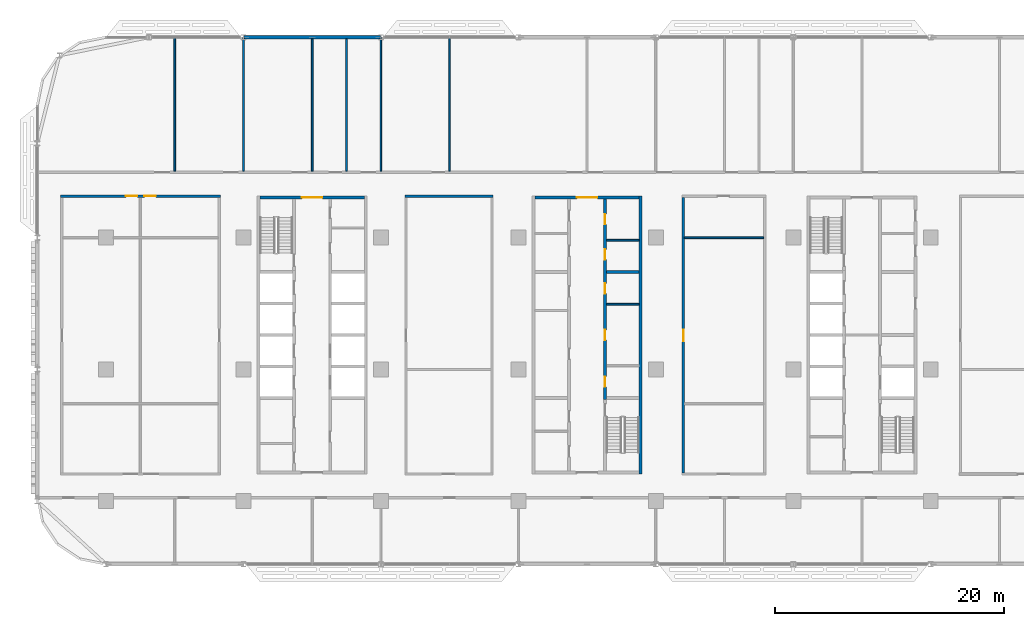
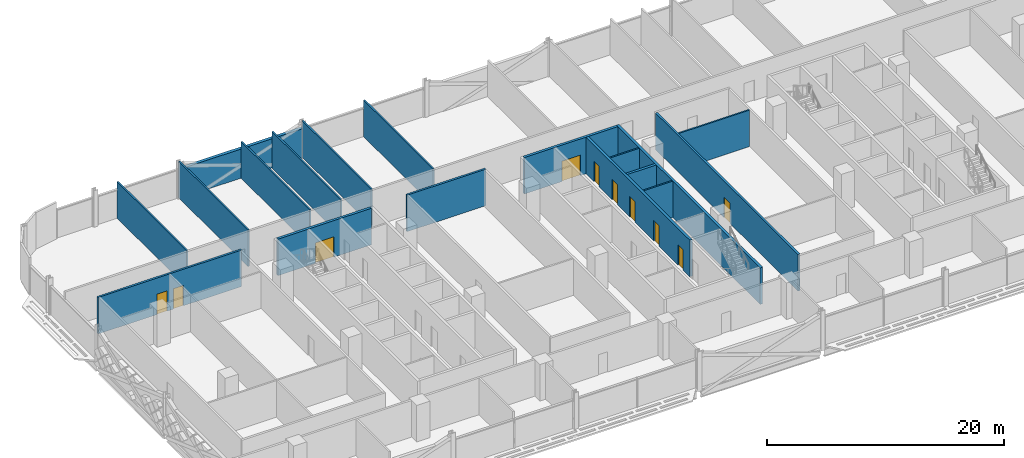
# One storey, part 15 of 28: 18 walls, 10 doors, 10 openings.
"""IFC4 building model written with IfcOpenShell, lengths in metres."""

from ifc_helpers import new_model, si_unit, direction, frame, frame_2d, origin, place, context, subcontext, project, spatial, rectangle, extrude, material, layer, layer_set, type_object, element, fill, save


model = new_model("IFC4")

# Units and contexts
model_context = context("Model", 3, precision=1e-05, world=origin(), true_north=direction((0.0, 1.0)))
body_context = subcontext(model_context, "Body", "Model", "MODEL_VIEW")
ifc_project = project(units=[si_unit("LENGTHUNIT", "METRE"), si_unit("AREAUNIT", "SQUARE_METRE"), si_unit("VOLUMEUNIT", "CUBIC_METRE"), si_unit("PLANEANGLEUNIT", "RADIAN"), si_unit("MASSUNIT", "GRAM", prefix="KILO")], contexts=[model_context])

# Site, building, storey
site_placement = place(None, origin())
site = spatial("IfcSite", under=ifc_project, at=site_placement, CompositionType="ELEMENT")
building_placement = place(site_placement, origin())
building = spatial("IfcBuilding", under=site, at=building_placement, Name="Mahtab Terrace Research Tower", CompositionType="ELEMENT")
storey_placement = place(building_placement, frame((0.0, 0.0, 134.300048828125)))
storey = spatial("IfcBuildingStorey", under=building, at=storey_placement, Name="L31", CompositionType="ELEMENT", Elevation=134.300048828125)

# Walls
ifc_material_1 = material(Name="Gypsum board partition")
ifc_layer_1 = layer(ifc_material_1, 0.14990234375)
ifc_layer_set_1 = layer_set([ifc_layer_1], Name="Core partition 150")
wall_type_1 = type_object("IfcWallType", Name="Core partition 150", PredefinedType="PARTITIONING", material=ifc_layer_set_1)
for number, where, z_axis, x_axis, name in (
    (1, (1.699951171875, 5.6875, 0.0), (0.0, 0.0, 1.0), (1.0, 0.0, 0.0), "Core wall B pEL269"),
    (2, (1.699951171875, 11.27490234375, 0.0), (0.0, 0.0, 1.0), (1.0, 0.0, 0.0), "Core wall B pEN828"),
):
    element("IfcWall", number, at=place(storey_placement, frame(where, z_axis=z_axis, x_axis=x_axis)), inside=storey, type_object=wall_type_1, Name=name, PredefinedType="PARTITIONING", context=body_context, shape_type="SweptSolid", body=[
        extrude(rectangle(XDim=2.85009765625, YDim=0.14990234375, at=frame_2d((1.425048828125, 0.0))), origin(), (0.0, 0.0, 1.0), 3.760009765625),
    ])

# Wall, opening, door
ifc_material_2 = material(Name="Concrete C70/85", Category="concrete")
ifc_layer_2 = layer(ifc_material_2, 0.25)
ifc_layer_set_2 = layer_set([ifc_layer_2], Name="Core wall 250")
wall_type_2 = type_object("IfcWallType", Name="Core wall 250", PredefinedType="SOLIDWALL", material=ifc_layer_set_2)
wall_1_placement = place(storey_placement, frame((-28.550048828125, 15.0, 0.0), z_axis=(0.0, 0.0, 1.0), x_axis=(1.0, 0.0, 0.0)))
wall_1 = element("IfcWall", 3, at=wall_1_placement, inside=storey, type_object=wall_type_2, Name="Core wall A endN", PredefinedType="SOLIDWALL", context=body_context, shape_type="SweptSolid", body=[
    extrude(rectangle(XDim=9.10009765625, YDim=0.25, at=frame_2d((4.550048828125, 0.0))), origin(), (0.0, 0.0, 1.0), 3.760009765625),
])
opening_1_placement = place(wall_1_placement, frame((3.64990234375, 0.0, 0.0)))
opening_1 = element("IfcOpeningElement", 4, at=opening_1_placement, cuts=wall_1, Name="Opening A-N1", PredefinedType="OPENING", context=body_context, shape_type="SweptSolid", body=[
    extrude(rectangle(XDim=1.800048828125, YDim=2.10009765625, at=frame_2d((0.89990234375, 1.050048828125))), frame((0.0, 0.135009765625, 0.0), z_axis=(0.0, -1.0, 0.0), x_axis=(1.0, 0.0, 0.0)), (0.0, 0.0, 1.0), 0.27001953125),
])
ifc_material_3 = material(Name="Steel fire door", Category="steel")
door_type_1 = type_object("IfcDoorType", Name="Lobby double door 1800x2100 1 HR", OperationType="DOUBLE_DOOR_SINGLE_SWING", PredefinedType="DOOR", material=ifc_material_3)
door_1_placement = place(opening_1_placement, origin())
door_1 = element("IfcDoor", 5, at=door_1_placement, inside=storey, type_object=door_type_1, Name="Core entrance door A N", OperationType="DOUBLE_DOOR_SINGLE_SWING", OverallHeight=2.10009765625, OverallWidth=1.800048828125, PredefinedType="DOOR", context=body_context, shape_type="SweptSolid", body=[
    extrude(rectangle(XDim=1.800048828125, YDim=2.10009765625, at=frame_2d((0.89990234375, 1.050048828125))), frame((0.0, 0.02490234375, 0.0), z_axis=(0.0, -1.0, 0.0), x_axis=(1.0, 0.0, 0.0)), (0.0, 0.0, 1.0), 0.050048828125),
])
fill(opening_1, door_1)

# Wall
wall_2_placement = place(storey_placement, frame((4.675048828125, -9.125, 0.0), z_axis=(0.0, 0.0, 1.0), x_axis=(0.0, 1.0, 0.0)))
element("IfcWall", 6, at=wall_2_placement, inside=storey, type_object=wall_type_2, Name="Core wall B outerE", PredefinedType="SOLIDWALL", context=body_context, shape_type="SweptSolid", body=[
    extrude(rectangle(XDim=24.25, YDim=0.25, at=frame_2d((12.125, 0.0))), origin(), (0.0, 0.0, 1.0), 3.760009765625),
])

# Wall, opening, door
wall_3_placement = place(storey_placement, frame((-4.550048828125, 15.0, 0.0), z_axis=(0.0, 0.0, 1.0), x_axis=(1.0, 0.0, 0.0)))
wall_3 = element("IfcWall", 7, at=wall_3_placement, inside=storey, type_object=wall_type_2, Name="Core wall B endN", PredefinedType="SOLIDWALL", context=body_context, shape_type="SweptSolid", body=[
    extrude(rectangle(XDim=9.10009765625, YDim=0.25, at=frame_2d((4.550048828125, 0.0))), origin(), (0.0, 0.0, 1.0), 3.760009765625),
])
opening_2_placement = place(wall_3_placement, frame((3.64990234375, 0.0, 0.0)))
opening_2 = element("IfcOpeningElement", 8, at=opening_2_placement, cuts=wall_3, Name="Opening B-N1", PredefinedType="OPENING", context=body_context, shape_type="SweptSolid", body=[
    extrude(rectangle(XDim=1.800048828125, YDim=2.10009765625, at=frame_2d((0.89990234375, 1.050048828125))), frame((0.0, 0.135009765625, 0.0), z_axis=(0.0, -1.0, 0.0), x_axis=(1.0, 0.0, 0.0)), (0.0, 0.0, 1.0), 0.27001953125),
])
door_2_placement = place(opening_2_placement, origin())
door_2 = element("IfcDoor", 9, at=door_2_placement, inside=storey, type_object=door_type_1, Name="Core entrance door B N", OperationType="DOUBLE_DOOR_SINGLE_SWING", OverallHeight=2.10009765625, OverallWidth=1.800048828125, PredefinedType="DOOR", context=body_context, shape_type="SweptSolid", body=[
    extrude(rectangle(XDim=1.800048828125, YDim=2.10009765625, at=frame_2d((0.89990234375, 1.050048828125))), frame((0.0, 0.02490234375, 0.0), z_axis=(0.0, -1.0, 0.0), x_axis=(1.0, 0.0, 0.0)), (0.0, 0.0, 1.0), 0.050048828125),
])
fill(opening_2, door_2)

# Wall, openings, doors
wall_4_placement = place(storey_placement, frame((1.574951171875, 14.875, 0.0), z_axis=(0.0, 0.0, 1.0), x_axis=(0.0, -1.0, 0.0)))
wall_4 = element("IfcWall", 10, at=wall_4_placement, inside=storey, type_object=wall_type_2, Name="Core wall B innerELN", PredefinedType="SOLIDWALL", context=body_context, shape_type="SweptSolid", body=[
    extrude(rectangle(XDim=17.5, YDim=0.25, at=frame_2d((8.75, 0.0))), origin(), (0.0, 0.0, 1.0), 3.760009765625),
])
opening_3_placement = place(wall_4_placement, frame((15.493896484375, 0.0, 0.0)))
opening_3 = element("IfcOpeningElement", 11, at=opening_3_placement, cuts=wall_4, Name="Opening B-R3", PredefinedType="OPENING", context=body_context, shape_type="SweptSolid", body=[
    extrude(rectangle(XDim=0.89990234375, YDim=2.10009765625, at=frame_2d((0.449951171875, 1.050048828125))), frame((0.0, 0.135009765625, 0.0), z_axis=(0.0, -1.0, 0.0), x_axis=(1.0, 0.0, 0.0)), (0.0, 0.0, 1.0), 0.27001953125),
])
opening_4_placement = place(wall_4_placement, frame((11.425048828125, 0.0, 0.0)))
opening_4 = element("IfcOpeningElement", 12, at=opening_4_placement, cuts=wall_4, Name="Opening B-R4", PredefinedType="OPENING", context=body_context, shape_type="SweptSolid", body=[
    extrude(rectangle(XDim=0.89990234375, YDim=2.10009765625, at=frame_2d((0.449951171875, 1.050048828125))), frame((0.0, 0.135009765625, 0.0), z_axis=(0.0, -1.0, 0.0), x_axis=(1.0, 0.0, 0.0)), (0.0, 0.0, 1.0), 0.27001953125),
])
opening_5_placement = place(wall_4_placement, frame((7.356201171875, 0.0, 0.0)))
opening_5 = element("IfcOpeningElement", 13, at=opening_5_placement, cuts=wall_4, Name="Opening B-R5", PredefinedType="OPENING", context=body_context, shape_type="SweptSolid", body=[
    extrude(rectangle(XDim=0.89990234375, YDim=2.10009765625, at=frame_2d((0.449951171875, 1.050048828125))), frame((0.0, 0.135009765625, 0.0), z_axis=(0.0, -1.0, 0.0), x_axis=(1.0, 0.0, 0.0)), (0.0, 0.0, 1.0), 0.27001953125),
])
opening_6_placement = place(wall_4_placement, frame((4.387451171875, 0.0, 0.0)))
opening_6 = element("IfcOpeningElement", 14, at=opening_6_placement, cuts=wall_4, Name="Opening B-R10", PredefinedType="OPENING", context=body_context, shape_type="SweptSolid", body=[
    extrude(rectangle(XDim=0.89990234375, YDim=2.10009765625, at=frame_2d((0.449951171875, 1.050048828125))), frame((0.0, 0.135009765625, 0.0), z_axis=(0.0, -1.0, 0.0), x_axis=(1.0, 0.0, 0.0)), (0.0, 0.0, 1.0), 0.27001953125),
])
opening_7_placement = place(wall_4_placement, frame((1.3125, 0.0, 0.0)))
opening_7 = element("IfcOpeningElement", 15, at=opening_7_placement, cuts=wall_4, Name="Opening B-R11", PredefinedType="OPENING", context=body_context, shape_type="SweptSolid", body=[
    extrude(rectangle(XDim=0.89990234375, YDim=2.10009765625, at=frame_2d((0.449951171875, 1.050048828125))), frame((0.0, 0.135009765625, 0.0), z_axis=(0.0, -1.0, 0.0), x_axis=(1.0, 0.0, 0.0)), (0.0, 0.0, 1.0), 0.27001953125),
])
door_type_2 = type_object("IfcDoorType", Name="Room door 900x2100 1 HR", OperationType="NOTDEFINED", PredefinedType="DOOR", material=ifc_material_3)
door_3_placement = place(opening_3_placement, origin())
door_3 = element("IfcDoor", 16, at=door_3_placement, inside=storey, type_object=door_type_2, Name="Comms room door", OperationType="SINGLE_SWING_LEFT", OverallHeight=2.10009765625, OverallWidth=0.89990234375, PredefinedType="DOOR", context=body_context, shape_type="SweptSolid", body=[
    extrude(rectangle(XDim=0.89990234375, YDim=2.10009765625, at=frame_2d((0.449951171875, 1.050048828125))), frame((0.0, 0.02490234375, 0.0), z_axis=(0.0, -1.0, 0.0), x_axis=(1.0, 0.0, 0.0)), (0.0, 0.0, 1.0), 0.050048828125),
])
fill(opening_3, door_3)
door_4_placement = place(opening_4_placement, origin())
door_4 = element("IfcDoor", 17, at=door_4_placement, inside=storey, type_object=door_type_2, Name="Meeting alcove door", OperationType="SINGLE_SWING_RIGHT", OverallHeight=2.10009765625, OverallWidth=0.89990234375, PredefinedType="DOOR", context=body_context, shape_type="SweptSolid", body=[
    extrude(rectangle(XDim=0.89990234375, YDim=2.10009765625, at=frame_2d((0.449951171875, 1.050048828125))), frame((0.0, 0.02490234375, 0.0), z_axis=(0.0, -1.0, 0.0), x_axis=(1.0, 0.0, 0.0)), (0.0, 0.0, 1.0), 0.050048828125),
])
fill(opening_4, door_4)
door_5_placement = place(opening_5_placement, origin())
door_5 = element("IfcDoor", 18, at=door_5_placement, inside=storey, type_object=door_type_2, Name="Linen store door", OperationType="SINGLE_SWING_LEFT", OverallHeight=2.10009765625, OverallWidth=0.89990234375, PredefinedType="DOOR", context=body_context, shape_type="SweptSolid", body=[
    extrude(rectangle(XDim=0.89990234375, YDim=2.10009765625, at=frame_2d((0.449951171875, 1.050048828125))), frame((0.0, 0.02490234375, 0.0), z_axis=(0.0, -1.0, 0.0), x_axis=(1.0, 0.0, 0.0)), (0.0, 0.0, 1.0), 0.050048828125),
])
fill(opening_5, door_5)
door_6_placement = place(opening_6_placement, origin())
door_6 = element("IfcDoor", 19, at=door_6_placement, inside=storey, type_object=door_type_2, Name="Accessible WC door", OperationType="SINGLE_SWING_RIGHT", OverallHeight=2.10009765625, OverallWidth=0.89990234375, PredefinedType="DOOR", context=body_context, shape_type="SweptSolid", body=[
    extrude(rectangle(XDim=0.89990234375, YDim=2.10009765625, at=frame_2d((0.449951171875, 1.050048828125))), frame((0.0, 0.02490234375, 0.0), z_axis=(0.0, -1.0, 0.0), x_axis=(1.0, 0.0, 0.0)), (0.0, 0.0, 1.0), 0.050048828125),
])
fill(opening_6, door_6)
door_7_placement = place(opening_7_placement, origin())
door_7 = element("IfcDoor", 20, at=door_7_placement, inside=storey, type_object=door_type_2, Name="WC block door", OperationType="SINGLE_SWING_LEFT", OverallHeight=2.10009765625, OverallWidth=0.89990234375, PredefinedType="DOOR", context=body_context, shape_type="SweptSolid", body=[
    extrude(rectangle(XDim=0.89990234375, YDim=2.10009765625, at=frame_2d((0.449951171875, 1.050048828125))), frame((0.0, 0.02490234375, 0.0), z_axis=(0.0, -1.0, 0.0), x_axis=(1.0, 0.0, 0.0)), (0.0, 0.0, 1.0), 0.050048828125),
])
fill(opening_7, door_7)

# Walls
wall_5_placement = place(storey_placement, frame((1.699951171875, 8.5, 0.0), z_axis=(0.0, 0.0, 1.0), x_axis=(1.0, 0.0, 0.0)))
element("IfcWall", 21, at=wall_5_placement, inside=storey, type_object=wall_type_2, Name="Core wall B divE4", PredefinedType="SOLIDWALL", context=body_context, shape_type="SweptSolid", body=[
    extrude(rectangle(XDim=2.85009765625, YDim=0.25, at=frame_2d((1.425048828125, 0.0))), origin(), (0.0, 0.0, 1.0), 3.760009765625),
])
ifc_material_4 = material(Name="Black aluminium cladding panel", Category="aluminium")
ifc_layer_3 = layer(ifc_material_4, 0.300048828125)
ifc_layer_set_3 = layer_set([ifc_layer_3], Name="Opaque facade wall 300")
wall_type_3 = type_object("IfcWallType", Name="Opaque facade wall 300", PredefinedType="NOTDEFINED", material=ifc_layer_set_3)
wall_6_placement = place(storey_placement, frame((-18.017822265625, 29.0, 0.0), z_axis=(0.0, 0.0, 1.0), x_axis=(-1.0, 0.0, 0.0)))
element("IfcWall", 22, at=wall_6_placement, inside=storey, type_object=wall_type_3, Name="Opaque facade wall L31 N8", PredefinedType="NOTDEFINED", context=body_context, shape_type="SweptSolid", body=[
    extrude(rectangle(XDim=11.96435546875, YDim=0.300048828125, at=frame_2d((5.982177734375, 0.0))), origin(), (0.0, 0.0, 1.0), 3.0029296875),
])

# Wall, openings, doors
ifc_material_5 = material(Name="Gypsum board corridor wall on steel studs", Category="steel")
ifc_layer_4 = layer(ifc_material_5, 0.199951171875)
ifc_layer_set_4 = layer_set([ifc_layer_4], Name="WALL CORRIDOR 200")
wall_type_4 = type_object("IfcWallType", Name="WALL CORRIDOR 200", PredefinedType="PARTITIONING", material=ifc_layer_set_4)
wall_7_placement = place(storey_placement, frame((-45.949951171875, 15.125, 0.0), z_axis=(0.0, 0.0, 1.0), x_axis=(1.0, 0.0, 0.0)))
wall_7 = element("IfcWall", 23, at=wall_7_placement, inside=storey, type_object=wall_type_4, Name="L31-W022", PredefinedType="PARTITIONING", context=body_context, shape_type="SweptSolid", body=[
    extrude(rectangle(XDim=13.949951171875, YDim=0.199951171875, at=frame_2d((6.97509765625, 0.0))), origin(), (0.0, 0.0, 1.0), 3.760009765625),
])
opening_8_placement = place(wall_7_placement, frame((5.699951171875, 0.0, 0.0)))
opening_8 = element("IfcOpeningElement", 24, at=opening_8_placement, cuts=wall_7, Name="Opening L31-123", PredefinedType="OPENING", context=body_context, shape_type="SweptSolid", body=[
    extrude(rectangle(XDim=1.0, YDim=2.10009765625, at=frame_2d((0.5, 1.050048828125))), frame((0.0, 0.10986328125, 0.0), z_axis=(0.0, -1.0, 0.0), x_axis=(1.0, 0.0, 0.0)), (0.0, 0.0, 1.0), 0.219970703125),
])
opening_9_placement = place(wall_7_placement, frame((7.300048828125, 0.0, 0.0)))
opening_9 = element("IfcOpeningElement", 25, at=opening_9_placement, cuts=wall_7, Name="Opening L31-124", PredefinedType="OPENING", context=body_context, shape_type="SweptSolid", body=[
    extrude(rectangle(XDim=1.0, YDim=2.10009765625, at=frame_2d((0.5, 1.050048828125))), frame((0.0, 0.10986328125, 0.0), z_axis=(0.0, -1.0, 0.0), x_axis=(1.0, 0.0, 0.0)), (0.0, 0.0, 1.0), 0.219970703125),
])
ifc_material_6 = material(Name="Timber door leaf in steel frame", Category="steel")
door_type_3 = type_object("IfcDoorType", Name="DOOR 1000X2100 FD30S", OperationType="SINGLE_SWING_LEFT", PredefinedType="DOOR", material=ifc_material_6)
door_8_placement = place(opening_8_placement, origin())
door_8 = element("IfcDoor", 26, at=door_8_placement, inside=storey, type_object=door_type_3, Name="Door L31-123", OperationType="SINGLE_SWING_RIGHT", OverallHeight=2.10009765625, OverallWidth=1.0, PredefinedType="DOOR", context=body_context, shape_type="SweptSolid", body=[
    extrude(rectangle(XDim=1.0, YDim=2.10009765625, at=frame_2d((0.5, 1.050048828125))), frame((0.0, 0.02490234375, 0.0), z_axis=(0.0, -1.0, 0.0), x_axis=(1.0, 0.0, 0.0)), (0.0, 0.0, 1.0), 0.050048828125),
])
fill(opening_8, door_8)
door_9_placement = place(opening_9_placement, origin())
door_9 = element("IfcDoor", 27, at=door_9_placement, inside=storey, type_object=door_type_3, Name="Door L31-124", OperationType="SINGLE_SWING_LEFT", OverallHeight=2.10009765625, OverallWidth=1.0, PredefinedType="DOOR", context=body_context, shape_type="SweptSolid", body=[
    extrude(rectangle(XDim=1.0, YDim=2.10009765625, at=frame_2d((0.5, 1.050048828125))), frame((0.0, 0.02490234375, 0.0), z_axis=(0.0, -1.0, 0.0), x_axis=(1.0, 0.0, 0.0)), (0.0, 0.0, 1.0), 0.050048828125),
])
fill(opening_9, door_9)

# Wall
wall_8_placement = place(storey_placement, frame((-15.89990234375, 15.125, 0.0), z_axis=(0.0, 0.0, 1.0), x_axis=(1.0, 0.0, 0.0)))
element("IfcWall", 28, at=wall_8_placement, inside=storey, type_object=wall_type_4, Name="L31-W023", PredefinedType="PARTITIONING", context=body_context, shape_type="SweptSolid", body=[
    extrude(rectangle(XDim=7.699951171875, YDim=0.199951171875, at=frame_2d((3.85009765625, 0.0))), origin(), (0.0, 0.0, 1.0), 3.760009765625),
])

# Wall, opening, door
wall_9_placement = place(storey_placement, frame((8.39990234375, -9.02490234375, 0.0), z_axis=(0.0, 0.0, 1.0), x_axis=(0.0, 1.0, 0.0)))
wall_9 = element("IfcWall", 29, at=wall_9_placement, inside=storey, type_object=wall_type_4, Name="L31-W045", PredefinedType="PARTITIONING", context=body_context, shape_type="SweptSolid", body=[
    extrude(rectangle(XDim=24.0498046875, YDim=0.199951171875, at=frame_2d((12.02490234375, 0.0))), origin(), (0.0, 0.0, 1.0), 3.760009765625),
])
opening_10_placement = place(wall_9_placement, frame((11.5, 0.0, 0.0)))
opening_10 = element("IfcOpeningElement", 30, at=opening_10_placement, cuts=wall_9, Name="Opening L31-119", PredefinedType="OPENING", context=body_context, shape_type="SweptSolid", body=[
    extrude(rectangle(XDim=1.0, YDim=2.10009765625, at=frame_2d((0.5, 1.050048828125))), frame((0.0, 0.10986328125, 0.0), z_axis=(0.0, -1.0, 0.0), x_axis=(1.0, 0.0, 0.0)), (0.0, 0.0, 1.0), 0.219970703125),
])
door_10_placement = place(opening_10_placement, origin())
door_10 = element("IfcDoor", 31, at=door_10_placement, inside=storey, type_object=door_type_3, Name="Door L31-119", OperationType="SINGLE_SWING_RIGHT", OverallHeight=2.10009765625, OverallWidth=1.0, PredefinedType="DOOR", context=body_context, shape_type="SweptSolid", body=[
    extrude(rectangle(XDim=1.0, YDim=2.10009765625, at=frame_2d((0.5, 1.050048828125))), frame((0.0, 0.02490234375, 0.0), z_axis=(0.0, -1.0, 0.0), x_axis=(1.0, 0.0, 0.0)), (0.0, 0.0, 1.0), 0.050048828125),
])
fill(opening_10, door_10)

# Walls
ifc_material_7 = material(Name="Gypsum board partition on steel studs", Category="steel")
ifc_layer_5 = layer(ifc_material_7, 0.14990234375)
ifc_layer_set_5 = layer_set([ifc_layer_5], Name="WALL PARTITION 150")
wall_type_5 = type_object("IfcWallType", Name="WALL PARTITION 150", PredefinedType="PARTITIONING", material=ifc_layer_set_5)
wall_10_placement = place(storey_placement, frame((8.5, 11.5, 0.0), z_axis=(0.0, 0.0, 1.0), x_axis=(1.0, 0.0, 0.0)))
element("IfcWall", 32, at=wall_10_placement, inside=storey, type_object=wall_type_5, Name="L31-W021", PredefinedType="PARTITIONING", context=body_context, shape_type="SweptSolid", body=[
    extrude(rectangle(XDim=6.89990234375, YDim=0.14990234375, at=frame_2d((3.449951171875, 0.0))), origin(), (0.0, 0.0, 1.0), 3.760009765625),
])
for number, where, z_axis, x_axis, name in (
    (33, (-36.0, 17.300048828125, 0.0), (0.0, 0.0, 1.0), (0.0, 1.0, 0.0), "L31-W030"),
    (34, (-30.0, 17.300048828125, 0.0), (0.0, 0.0, 1.0), (0.0, 1.0, 0.0), "L31-W032"),
):
    element("IfcWall", number, at=place(storey_placement, frame(where, z_axis=z_axis, x_axis=x_axis)), inside=storey, type_object=wall_type_5, Name=name, PredefinedType="PARTITIONING", context=body_context, shape_type="SweptSolid", body=[
        extrude(rectangle(XDim=11.675048828125, YDim=0.14990234375, at=frame_2d((5.83740234375, 0.0))), origin(), (0.0, 0.0, 1.0), 3.760009765625),
    ])
for number, where, z_axis, x_axis, name in (
    (35, (-24.0, 17.300048828125, 0.0), (0.0, 0.0, 1.0), (0.0, 1.0, 0.0), "L31-W034"),
    (36, (-21.0, 17.300048828125, 0.0), (0.0, 0.0, 1.0), (0.0, 1.0, 0.0), "L31-W035"),
):
    element("IfcWall", number, at=place(storey_placement, frame(where, z_axis=z_axis, x_axis=x_axis)), inside=storey, type_object=wall_type_5, Name=name, PredefinedType="PARTITIONING", context=body_context, shape_type="SweptSolid", body=[
        extrude(rectangle(XDim=11.550048828125, YDim=0.14990234375, at=frame_2d((5.77490234375, 0.0))), origin(), (0.0, 0.0, 1.0), 3.760009765625),
    ])
for number, where, z_axis, x_axis, name in (
    (37, (-18.0, 17.300048828125, 0.0), (0.0, 0.0, 1.0), (0.0, 1.0, 0.0), "L31-W037"),
    (38, (-12.0, 17.300048828125, 0.0), (0.0, 0.0, 1.0), (0.0, 1.0, 0.0), "L31-W039"),
):
    element("IfcWall", number, at=place(storey_placement, frame(where, z_axis=z_axis, x_axis=x_axis)), inside=storey, type_object=wall_type_5, Name=name, PredefinedType="PARTITIONING", context=body_context, shape_type="SweptSolid", body=[
        extrude(rectangle(XDim=11.675048828125, YDim=0.14990234375, at=frame_2d((5.83740234375, 0.0))), origin(), (0.0, 0.0, 1.0), 3.760009765625),
    ])

save(model, "model.ifc")
